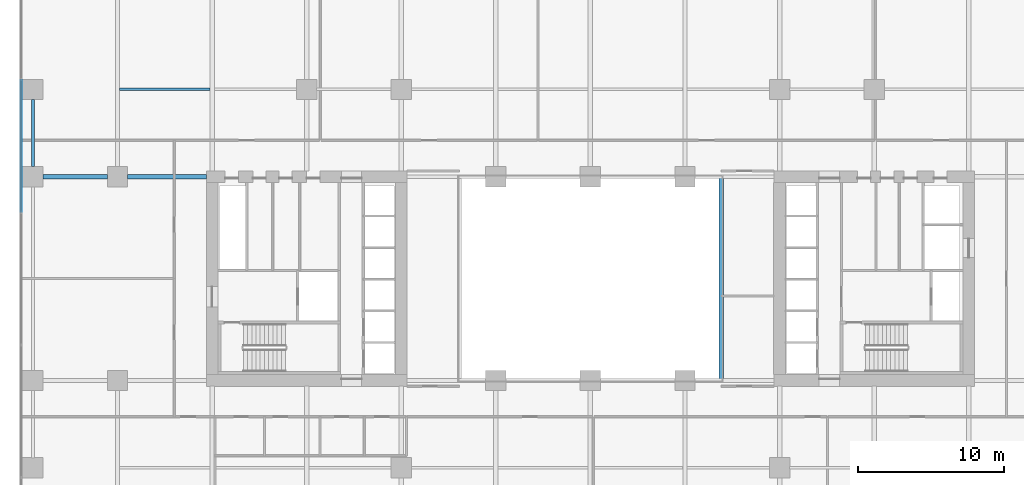
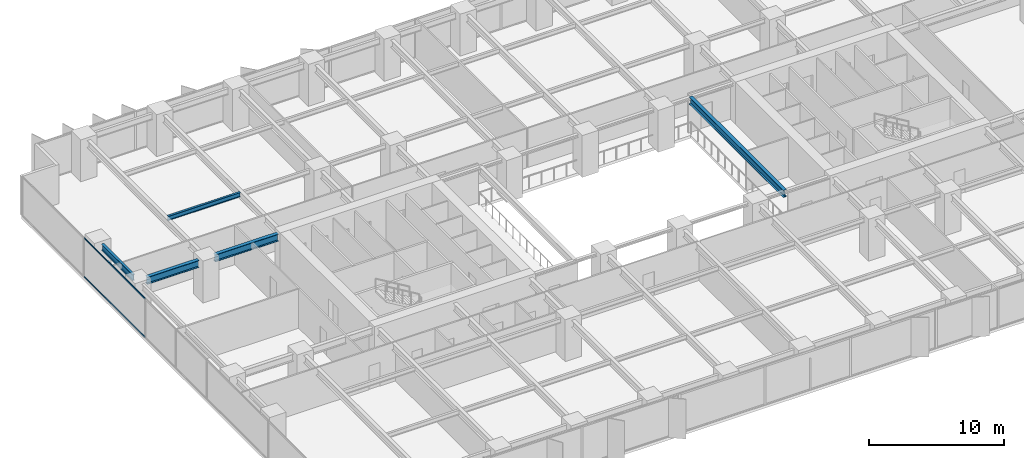
# One storey, part 6 of 20: 5 beams, 2 members, 1 element without a shape of its own.
"""IFC4 building model written with IfcOpenShell, lengths in metres."""

import ifcopenshell
import ifcopenshell.guid

model = None  # the IFC model being written
_history = None  # IfcOwnerHistory: only IFC2X3 demands one
_inside = {}  # id of a spatial element -> (the spatial element, [elements in it])
_under = {}  # id of a project, library or spatial element -> (it, [spatial elements below it])
_declared = {}  # id of a project -> (the project, [libraries it declares])
_typed = {}  # id of a type object -> (the type object, [elements of that type])
_made_of = {}  # id of a material, layer set ... -> (it, [elements and type objects made of it])


def new_model(schema):
    """Start an empty IFC model of exactly this schema.

    Asked for "IFC4X3", IfcOpenShell would pick the latest addendum, in which some entities
    have other attributes; the version numbers below select the first issue.
    IFC2X3 requires an IfcOwnerHistory on every rooted entity: one is made here for all.
    """
    global model, _history
    if schema == "IFC4X3":
        model = ifcopenshell.file(schema_version=(4, 3, 0, 0))
    else:
        model = ifcopenshell.file(schema=schema)
    _inside.clear()
    _under.clear()
    _declared.clear()
    _typed.clear()
    _made_of.clear()
    _history = None
    if model.schema == "IFC2X3":
        org = make("IfcOrganization", Name="unknown")
        user = make(
            "IfcPersonAndOrganization",
            ThePerson=make("IfcPerson", FamilyName="unknown"),
            TheOrganization=org,
        )
        app = make(
            "IfcApplication",
            ApplicationDeveloper=org,
            Version="unknown",
            ApplicationFullName="unknown",
            ApplicationIdentifier="unknown",
        )
        _history = make(
            "IfcOwnerHistory",
            OwningUser=user,
            OwningApplication=app,
            ChangeAction="ADDED",
            CreationDate=0,
        )
    return model


def make(cls, **values):
    """One entity of the class cls with the attributes given. An attribute that is None is left unset."""
    return model.create_entity(
        cls, **{name: value for name, value in values.items() if value is not None}
    )


def rooted(cls, **values):
    """An entity with a GlobalId (a new one), such as an element, a storey or a relation."""
    return make(cls, GlobalId=ifcopenshell.guid.new(), OwnerHistory=_history, **values)


def si_unit(unit_type, name, prefix=None):
    """IfcSIUnit, for example si_unit("LENGTHUNIT", "METRE", prefix="MILLI")."""
    return make("IfcSIUnit", UnitType=unit_type, Prefix=prefix, Name=name)


def assignment(units):
    """IfcUnitAssignment: the units of a project."""
    return None if units is None else make("IfcUnitAssignment", Units=units)


def point(xyz):
    """IfcCartesianPoint."""
    return None if xyz is None else make("IfcCartesianPoint", Coordinates=xyz)


def direction(xyz):
    """IfcDirection."""
    return None if xyz is None else make("IfcDirection", DirectionRatios=xyz)


def frame(location, z_axis=None, x_axis=None):
    """IfcAxis2Placement3D, a coordinate frame: its origin and axes. An axis left out is left unset."""
    return make(
        "IfcAxis2Placement3D",
        Location=point(location),
        Axis=direction(z_axis),
        RefDirection=direction(x_axis),
    )


def frame_2d(location, x_axis=None):
    """IfcAxis2Placement2D, a coordinate frame in the plane: its origin and x axis."""
    return make(
        "IfcAxis2Placement2D", Location=point(location), RefDirection=direction(x_axis)
    )


def origin():
    """The frame at (0, 0, 0) with its axes left unset."""
    return frame((0.0, 0.0, 0.0))


def origin_2d():
    """The frame at (0, 0) in the plane with its x axis left unset."""
    return frame_2d((0.0, 0.0))


def place(relative_to, where):
    """IfcLocalPlacement: puts the frame where relative to a parent placement (None: the world)."""
    return make(
        "IfcLocalPlacement", PlacementRelTo=relative_to, RelativePlacement=where
    )


def context(
    kind, dimensions, precision=None, world=None, true_north=None, identifier=None
):
    """IfcGeometricRepresentationContext, for example the 3D "Model" context."""
    return make(
        "IfcGeometricRepresentationContext",
        ContextIdentifier=identifier,
        ContextType=kind,
        CoordinateSpaceDimension=dimensions,
        Precision=precision,
        WorldCoordinateSystem=world,
        TrueNorth=true_north,
    )


def subcontext(parent, identifier, kind, view, scale=None):
    """IfcGeometricRepresentationSubContext, for example "Body" below "Model"."""
    return make(
        "IfcGeometricRepresentationSubContext",
        ContextIdentifier=identifier,
        ContextType=kind,
        ParentContext=parent,
        TargetScale=scale,
        TargetView=view,
    )


def project(units=None, contexts=None):
    """IfcProject with its units and contexts."""
    return rooted(
        "IfcProject",
        Name="project",
        RepresentationContexts=contexts,
        UnitsInContext=assignment(units),
    )


def spatial(cls, under=None, at=None, **own):
    """A site, building, storey or space (cls), placed at a placement, below another one or the project."""
    s = rooted(cls, ObjectPlacement=at, **own)
    if under is not None:
        _under.setdefault(under.id(), (under, []))[1].append(s)
    return s


def profile(cls, at=None, kind="AREA", **sizes):
    """A parametric profile (cls). Its sizes go by their IFC names, for example OverallWidth=200.0."""
    return make(cls, ProfileType=kind, Position=at, **sizes)


def rectangle(**sizes):
    """IfcRectangleProfileDef."""
    return profile("IfcRectangleProfileDef", **sizes)


def i_section(**sizes):
    """IfcIShapeProfileDef."""
    return profile("IfcIShapeProfileDef", **sizes)


def extrude(swept, where, along, depth):
    """IfcExtrudedAreaSolid: the profile swept, set in the frame where, extruded along a direction by depth."""
    return make(
        "IfcExtrudedAreaSolid",
        SweptArea=swept,
        Position=where,
        ExtrudedDirection=direction(along),
        Depth=depth,
    )


def shape(context_of_items, identifier, shape_type, items):
    """IfcShapeRepresentation: the items that make up one representation, for example the "Body"."""
    return make(
        "IfcShapeRepresentation",
        ContextOfItems=context_of_items,
        RepresentationIdentifier=identifier,
        RepresentationType=shape_type,
        Items=items,
    )


def material(Name=None, Category=None):
    """IfcMaterial."""
    return make("IfcMaterial", Name=Name, Category=Category)


def layer(
    of_material, thickness, ventilated=None, Name=None, Category=None, Priority=None
):
    """IfcMaterialLayer: one layer of a wall or slab, of a material (None: an air gap)."""
    return make(
        "IfcMaterialLayer",
        Material=of_material,
        LayerThickness=thickness,
        IsVentilated=ventilated,
        Name=Name,
        Category=Category,
        Priority=Priority,
    )


def layer_set(layers, Name=None):
    """IfcMaterialLayerSet."""
    return make("IfcMaterialLayerSet", MaterialLayers=layers, LayerSetName=Name)


def material_profile(
    of_material, cross_section, Name=None, Category=None, Priority=None
):
    """IfcMaterialProfile: a cross section and its material."""
    return make(
        "IfcMaterialProfile",
        Name=Name,
        Material=of_material,
        Profile=cross_section,
        Priority=Priority,
        Category=Category,
    )


def profile_set(profiles, Name=None, composite=None):
    """IfcMaterialProfileSet."""
    return make(
        "IfcMaterialProfileSet",
        Name=Name,
        MaterialProfiles=profiles,
        CompositeProfile=composite,
    )


def made_of(thing, what):
    """Note that an element or type object is made of a material, layer set ...; save() writes the relation."""
    if what is not None:
        _made_of.setdefault(what.id(), (what, []))[1].append(thing)
    return thing


def type_object(cls, material=None, **own):
    """A type object (cls), such as IfcWallType, which elements share."""
    return made_of(rooted(cls, **own), material)


def element(
    cls,
    number,
    at=None,
    inside=None,
    cuts=None,
    type_object=None,
    material=None,
    context=None,
    identifier="Body",
    shape_type=None,
    held_by="IfcProductDefinitionShape",
    body=None,
    shapes=None,
    **own,
):
    """One element of the class cls, such as IfcWall. Its Tag is "e" and its number.

    at: its placement. inside: the storey or other place that contains it. cuts: it is an
    opening in that element (IfcRelVoidsElement). A single representation is given by context,
    identifier, shape_type and body (its items); several are given by shapes. held_by: the class
    of the entity that holds the representations. save() writes the other relations.
    """
    e = rooted(cls, Tag="e%d" % number, ObjectPlacement=at, **own)
    if body is not None:
        shapes = [shape(context, identifier, shape_type, body)]
    if shapes is not None:
        e.Representation = make(held_by, Representations=shapes)
    if inside is not None:
        _inside.setdefault(inside.id(), (inside, []))[1].append(e)
    if cuts is not None:
        rooted(
            "IfcRelVoidsElement", RelatingBuildingElement=cuts, RelatedOpeningElement=e
        )
    if type_object is not None:
        _typed.setdefault(type_object.id(), (type_object, []))[1].append(e)
    return made_of(e, material)


def aggregate(whole, parts):
    """IfcRelAggregates: a whole, such as a stair, and the parts it consists of."""
    return rooted("IfcRelAggregates", RelatingObject=whole, RelatedObjects=parts)


def save(model, path):
    """Write the relations noted so far, then the file.

    IfcRelAggregates (storeys below a building ...), IfcRelContainedInSpatialStructure (elements
    in a storey), IfcRelDefinesByType, IfcRelAssociatesMaterial and IfcRelDeclares: one each for
    every whole, place, type object, material and project.
    """
    for whole, parts in _under.values():
        aggregate(whole, parts)
    for where, things in _inside.values():
        rooted(
            "IfcRelContainedInSpatialStructure",
            RelatedElements=things,
            RelatingStructure=where,
        )
    for kind, things in _typed.values():
        rooted("IfcRelDefinesByType", RelatedObjects=things, RelatingType=kind)
    for what, things in _made_of.values():
        rooted("IfcRelAssociatesMaterial", RelatedObjects=things, RelatingMaterial=what)
    for by, libraries in _declared.values():
        rooted("IfcRelDeclares", RelatingContext=by, RelatedDefinitions=libraries)
    model.write(path)


model = new_model("IFC4")

# Units and contexts
model_context = context("Model", 3, precision=1e-05, world=origin(), true_north=direction((0.0, 1.0)))
body_context = subcontext(model_context, "Body", "Model", "MODEL_VIEW")
ifc_project = project(units=[si_unit("LENGTHUNIT", "METRE"), si_unit("AREAUNIT", "SQUARE_METRE"), si_unit("VOLUMEUNIT", "CUBIC_METRE"), si_unit("PLANEANGLEUNIT", "RADIAN"), si_unit("MASSUNIT", "GRAM", prefix="KILO")], contexts=[model_context])

# Site, building, storey
site_placement = place(None, origin())
site = spatial("IfcSite", under=ifc_project, at=site_placement, CompositionType="ELEMENT")
building_placement = place(site_placement, origin())
building = spatial("IfcBuilding", under=site, at=building_placement, Name="Putna Gate Headquarters", CompositionType="ELEMENT")
storey_placement = place(building_placement, frame((0.0, 0.0, 43.0)))
storey = spatial("IfcBuildingStorey", under=building, at=storey_placement, Name="L09", CompositionType="ELEMENT", Elevation=43.0)

# Beams
ifc_material_1 = material(Name="Steel S355J2", Category="steel")
ifc_material_profile_1 = material_profile(ifc_material_1, i_section(OverallWidth=0.300048828125, OverallDepth=0.64990234375, WebThickness=0.01611328125, FlangeThickness=0.031005859375, at=origin_2d()), Name="Steel S355J2")
ifc_profile_set_1 = profile_set([ifc_material_profile_1], Name="Steel S355J2")
beam_type_1 = type_object("IfcBeamType", Name="BM-GIRD-Z1-HEB650", PredefinedType="USERDEFINED", material=ifc_profile_set_1)
beam_1_placement = place(storey_placement, frame((1.367919921875, 33.0, 3.22509765625), z_axis=(1.0, 0.0, 0.0), x_axis=(0.0, 1.0, 0.0)))
element("IfcBeam", 1, at=beam_1_placement, inside=storey, type_object=beam_type_1, Name="L09 West Wing Girder Y33-1", ObjectType="GIRDER", PredefinedType="USERDEFINED", context=body_context, shape_type="SweptSolid", body=[
    extrude(i_section(OverallWidth=0.300048828125, OverallDepth=0.64990234375, WebThickness=0.01611328125, FlangeThickness=0.031005859375, at=origin_2d()), origin(), (0.0, 0.0, 1.0), 4.444091796875),
])
beam_2_placement = place(storey_placement, frame((7.18798828125, 33.0, 3.22509765625), z_axis=(1.0, 0.0, 0.0), x_axis=(0.0, 1.0, 0.0)))
element("IfcBeam", 2, at=beam_2_placement, inside=storey, type_object=beam_type_1, Name="L09 West Wing Girder Y33-2", ObjectType="GIRDER", PredefinedType="USERDEFINED", context=body_context, shape_type="SweptSolid", body=[
    extrude(i_section(OverallWidth=0.300048828125, OverallDepth=0.64990234375, WebThickness=0.01611328125, FlangeThickness=0.031005859375, at=origin_2d()), origin(), (0.0, 0.0, 1.0), 5.427001953125),
])
beam_3_placement = place(storey_placement, frame((48.0, 19.010009765625, 3.22509765625), z_axis=(0.0, 1.0, 0.0), x_axis=(-1.0, 0.0, 0.0)))
element("IfcBeam", 3, at=beam_3_placement, inside=storey, type_object=beam_type_1, Name="L09 Atrium Trim Girder AE", ObjectType="GIRDER", PredefinedType="USERDEFINED", context=body_context, shape_type="SweptSolid", body=[
    extrude(i_section(OverallWidth=0.300048828125, OverallDepth=0.64990234375, WebThickness=0.01611328125, FlangeThickness=0.031005859375, at=origin_2d()), origin(), (0.0, 0.0, 1.0), 13.97998046875),
])
ifc_material_profile_2 = material_profile(ifc_material_1, i_section(OverallWidth=0.179931640625, OverallDepth=0.39990234375, WebThickness=0.008544921875, FlangeThickness=0.013427734375, at=origin_2d()), Name="Steel S355J2")
ifc_profile_set_2 = profile_set([ifc_material_profile_2], Name="Steel S355J2")
beam_type_2 = type_object("IfcBeamType", Name="BM-SEC-Z1-IPE400", PredefinedType="BEAM", material=ifc_profile_set_2)
beam_4_placement = place(storey_placement, frame((6.654052734375, 39.0, 3.35009765625), z_axis=(1.0, 0.0, 0.0), x_axis=(0.0, 1.0, 0.0)))
element("IfcBeam", 4, at=beam_4_placement, inside=storey, type_object=beam_type_2, Name="L09 North Secondary Beam 1", PredefinedType="BEAM", context=body_context, shape_type="SweptSolid", body=[
    extrude(i_section(OverallWidth=0.179931640625, OverallDepth=0.39990234375, WebThickness=0.008544921875, FlangeThickness=0.013427734375, at=origin_2d()), origin(), (0.0, 0.0, 1.0), 6.19189453125),
])
ifc_material_profile_3 = material_profile(ifc_material_1, i_section(OverallWidth=0.2099609375, OverallDepth=0.550048828125, WebThickness=0.010986328125, FlangeThickness=0.01708984375, at=origin_2d()), Name="Steel S355J2")
ifc_profile_set_3 = profile_set([ifc_material_profile_3], Name="Steel S355J2")
beam_type_3 = type_object("IfcBeamType", Name="BM-SPAN-Z1-IPE550", PredefinedType="SPANDREL", material=ifc_profile_set_3)
beam_5_placement = place(storey_placement, frame((0.679931640625, 33.68798828125, 3.27490234375), z_axis=(0.0, 1.0, 0.0), x_axis=(-1.0, 0.0, 0.0)))
element("IfcBeam", 5, at=beam_5_placement, inside=storey, type_object=beam_type_3, Name="L09 W End Spandrel 3", PredefinedType="SPANDREL", context=body_context, shape_type="SweptSolid", body=[
    extrude(i_section(OverallWidth=0.2099609375, OverallDepth=0.550048828125, WebThickness=0.010986328125, FlangeThickness=0.01708984375, at=origin_2d()), origin(), (0.0, 0.0, 1.0), 4.6240234375),
])

# Curtain wall, members
ifc_material_2 = material(Name="Anodised bronze aluminium curtain wall", Category="aluminium")
ifc_layer = layer(ifc_material_2, 0.179931640625)
ifc_layer_set = layer_set([ifc_layer], Name="Anodised bronze aluminium curtain wall")
curtain_wall_type = type_object("IfcCurtainWallType", Name="CW-SYS-Z1", PredefinedType="USERDEFINED", material=ifc_layer_set)
curtain_wall_placement = place(storey_placement, origin())
curtain_wall = element("IfcCurtainWall", 6, at=curtain_wall_placement, inside=storey, type_object=curtain_wall_type, Name="L09 West Curtain Wall", ObjectType="STICK CURTAIN WALL", PredefinedType="USERDEFINED")
ifc_material_3 = material(Name="Anodised bronze aluminium EN AW-6060", Category="aluminium")
ifc_material_profile_4 = material_profile(ifc_material_3, rectangle(XDim=0.06494140625, YDim=0.1201171875, at=origin_2d()), Name="Anodised bronze aluminium EN AW-6060")
ifc_profile_set_4 = profile_set([ifc_material_profile_4], Name="Anodised bronze aluminium EN AW-6060")
member_type = type_object("IfcMemberType", Name="TRAN-CWT-1", PredefinedType="USERDEFINED", material=ifc_profile_set_4)
member_1_placement = place(storey_placement, frame((-0.1201171875, 30.594970703125, 0.032470703125), z_axis=(0.0, 1.0, 0.0), x_axis=(-1.0, 0.0, 0.0)))
member_1 = element("IfcMember", 7, at=member_1_placement, type_object=member_type, Name="CWS-1 transom 4.1", ObjectType="TRANSOM", PredefinedType="USERDEFINED", context=body_context, shape_type="SweptSolid", body=[
    extrude(rectangle(XDim=0.06494140625, YDim=0.1201171875, at=origin_2d()), origin(), (0.0, 0.0, 1.0), 9.050048828125),
])
member_2_placement = place(storey_placement, frame((-0.1201171875, 30.594970703125, 3.517578125), z_axis=(0.0, 1.0, 0.0), x_axis=(-1.0, 0.0, 0.0)))
member_2 = element("IfcMember", 8, at=member_2_placement, type_object=member_type, Name="CWS-1 transom 4.2", ObjectType="TRANSOM", PredefinedType="USERDEFINED", context=body_context, shape_type="SweptSolid", body=[
    extrude(rectangle(XDim=0.06494140625, YDim=0.1201171875, at=origin_2d()), origin(), (0.0, 0.0, 1.0), 9.050048828125),
])
aggregate(curtain_wall, [member_1, member_2])

save(model, "model.ifc")
